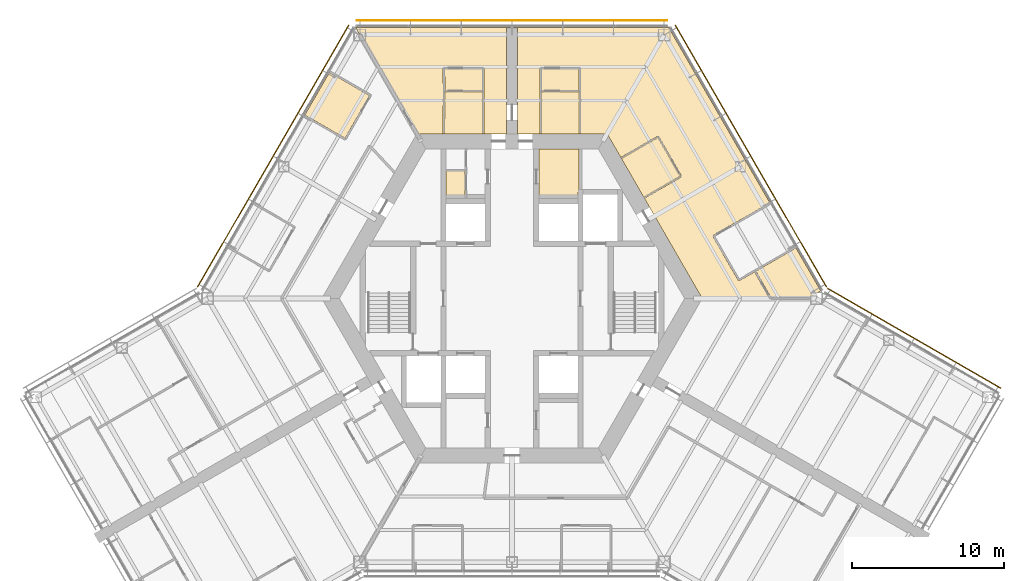
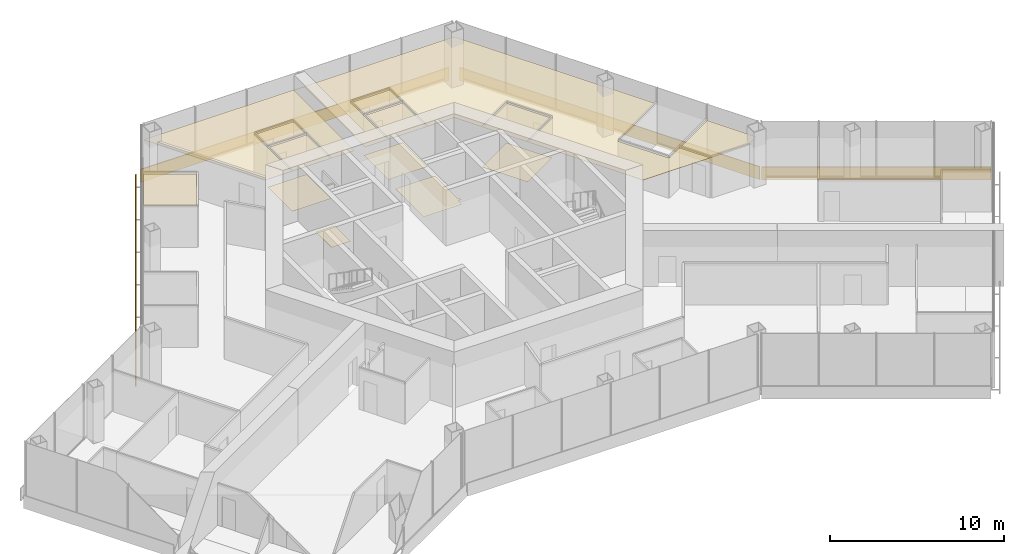
# One storey, part 18 of 18: 14 coverings, 4 shading devices.
"""IFC4 building model written with IfcOpenShell, lengths in metres."""

from ifc_helpers import new_model, si_unit, direction, frame, origin, origin_2d, place, context, subcontext, project, spatial, polyline, rectangle, outline, extrude, material, layer, layer_set, type_object, element, save


model = new_model("IFC4")

# Units and contexts
model_context = context("Model", 3, precision=1e-05, world=origin(), true_north=direction((0.0, 1.0)))
body_context = subcontext(model_context, "Body", "Model", "MODEL_VIEW")
ifc_project = project(units=[si_unit("LENGTHUNIT", "METRE"), si_unit("AREAUNIT", "SQUARE_METRE"), si_unit("VOLUMEUNIT", "CUBIC_METRE"), si_unit("PLANEANGLEUNIT", "RADIAN"), si_unit("MASSUNIT", "GRAM", prefix="KILO")], contexts=[model_context])

# Site, building, storey
site_placement = place(None, origin())
site = spatial("IfcSite", under=ifc_project, at=site_placement, CompositionType="ELEMENT")
building_placement = place(site_placement, origin())
building = spatial("IfcBuilding", under=site, at=building_placement, Name="Kasaneha Research Tower", CompositionType="ELEMENT")
storey_placement = place(building_placement, frame((0.0, 0.0, 183.800048828125)))
storey = spatial("IfcBuildingStorey", under=building, at=storey_placement, Name="L46", CompositionType="ELEMENT", Elevation=183.800048828125)

# Coverings
ifc_material_1 = material(Name="Gypsum ceiling board", Category="gypsum")
ifc_layer_1 = layer(ifc_material_1, 0.02001953125)
ifc_layer_set_1 = layer_set([ifc_layer_1], Name="Suspended ceiling 20")
covering_type_1 = type_object("IfcCoveringType", Name="Suspended ceiling 20", PredefinedType="CEILING", material=ifc_layer_set_1)
covering_1_placement = place(storey_placement, frame((0.0, 0.0, 2.800048828125)))
element("IfcCovering", 1, at=covering_1_placement, inside=storey, type_object=covering_type_1, Name="Ceiling L46-24", PredefinedType="CEILING", context=body_context, shape_type="SweptSolid", body=[
    extrude(outline(polyline([(1.89990234375, 10.824951171875), (1.89990234375, 10.844970703125), (1.949951171875, 10.844970703125), (1.95458984375, 13.570068359375), (4.410400390625, 13.570068359375), (4.4150390625, 10.844970703125), (4.465087890625, 10.844970703125), (4.465087890625, 10.824951171875), (1.89990234375, 10.824951171875)])), origin(), (0.0, 0.0, 1.0), 0.02001953125),
])
covering_2_placement = place(storey_placement, frame((0.0, 0.0, 2.800048828125)))
element("IfcCovering", 2, at=covering_2_placement, inside=storey, type_object=covering_type_1, Name="Ceiling L46-25", PredefinedType="CEILING", context=body_context, shape_type="SweptSolid", body=[
    extrude(outline(polyline([(4.410400390625, 13.669921875), (1.954345703125, 13.669921875), (1.9501953125, 15.074951171875), (4.414794921875, 15.074951171875), (4.410400390625, 13.669921875)])), origin(), (0.0, 0.0, 1.0), 0.02001953125),
])
covering_3_placement = place(storey_placement, frame((0.0, 0.0, 2.800048828125)))
element("IfcCovering", 3, at=covering_3_placement, inside=storey, type_object=covering_type_1, Name="Ceiling L46-26", PredefinedType="CEILING", context=body_context, shape_type="SweptSolid", body=[
    extrude(outline(polyline([(7.1748046875, 9.222900390625), (7.19189453125, 9.23291015625), (7.217041015625, 9.189697265625), (9.581298828125, 10.5546875), (11.03125, 8.043212890625), (8.6669921875, 6.67822265625), (8.69189453125, 6.635009765625), (8.6748046875, 6.625), (7.1748046875, 9.222900390625)])), origin(), (0.0, 0.0, 1.0), 0.02001953125),
])
covering_4_placement = place(storey_placement, frame((0.0, 0.0, 2.800048828125)))
element("IfcCovering", 4, at=covering_4_placement, inside=storey, type_object=covering_type_1, Name="Ceiling L46-28", PredefinedType="CEILING", context=body_context, shape_type="SweptSolid", body=[
    extrude(outline(polyline([(16.997802734375, 0.0), (16.986328125, 0.02001953125), (17.029541015625, 0.044921875), (16.024658203125, 1.79443359375), (18.644775390625, 3.30712890625), (18.619873046875, 3.3505859375), (18.63720703125, 3.360595703125), (20.28759765625, 0.501708984375), (19.41845703125, 0.0), (16.997802734375, 0.0)])), origin(), (0.0, 0.0, 1.0), 0.02001953125),
])
covering_5_placement = place(storey_placement, frame((0.0, 0.0, 2.800048828125)))
element("IfcCovering", 5, at=covering_5_placement, inside=storey, type_object=covering_type_1, Name="Ceiling L46-29", PredefinedType="CEILING", context=body_context, shape_type="SweptSolid", body=[
    extrude(outline(polyline([(8.692138671875, 6.634521484375), (8.717041015625, 6.591552734375), (11.12451171875, 7.981689453125), (11.099853515625, 8.024658203125), (11.10009765625, 8.02490234375), (11.099853515625, 8.025146484375), (11.142822265625, 8.0498046875), (9.642822265625, 10.64794921875), (9.60009765625, 10.623291015625), (9.599853515625, 10.623291015625), (9.599609375, 10.623046875), (9.57470703125, 10.666259765625), (7.1669921875, 9.2763671875), (7.191650390625, 9.2333984375), (7.174560546875, 9.223388671875), (6.249755859375, 10.824951171875), (4.465576171875, 10.824951171875), (4.465576171875, 10.844970703125), (4.514892578125, 10.844970703125), (4.51025390625, 13.625), (4.514892578125, 15.124755859375), (4.465087890625, 15.125), (4.465087890625, 15.12548828125), (4.465087890625, 15.175048828125), (1.89990234375, 15.175048828125), (1.89990234375, 15.125244140625), (1.899658203125, 15.125244140625), (1.899658203125, 15.125), (1.85009765625, 15.124755859375), (1.8544921875, 13.625), (1.85009765625, 10.844970703125), (1.8994140625, 10.844970703125), (1.8994140625, 10.824951171875), (0.35009765625, 10.824951171875), (0.35009765625, 11.72509765625), (0.35009765625, 12.72509765625), (0.35009765625, 17.7705078125), (0.35009765625, 17.7705078125), (0.0, 17.7705078125), (0.0, 17.820556640625), (10.28857421875, 17.820556640625), (16.94677734375, 6.28857421875), (13.222900390625, 4.138427734375), (13.24755859375, 4.095458984375), (13.247314453125, 4.09521484375), (13.247314453125, 4.094970703125), (13.20458984375, 4.0703125), (14.869873046875, 1.185546875), (14.912841796875, 1.210205078125), (14.912841796875, 1.210205078125), (14.913330078125, 1.21044921875), (14.938232421875, 1.167236328125), (15.93798828125, 1.744384765625), (16.93994140625, 0.0), (12.49951171875, 0.0), (8.675048828125, 6.62451171875), (8.692138671875, 6.634521484375)])), origin(), (0.0, 0.0, 1.0), 0.02001953125),
])
covering_6_placement = place(storey_placement, frame((0.0, 0.0, 2.800048828125)))
element("IfcCovering", 6, at=covering_6_placement, inside=storey, type_object=covering_type_1, Name="Ceiling L46-30", PredefinedType="CEILING", context=body_context, shape_type="SweptSolid", body=[
    extrude(outline(polyline([(-4.470947265625, 10.824951171875), (-4.470947265625, 10.844970703125), (-4.4208984375, 10.844970703125), (-4.41650390625, 13.570068359375), (-1.95458984375, 13.570068359375), (-1.949951171875, 10.844970703125), (-1.89990234375, 10.844970703125), (-1.89990234375, 10.824951171875), (-4.470947265625, 10.824951171875)])), origin(), (0.0, 0.0, 1.0), 0.02001953125),
])
covering_7_placement = place(storey_placement, frame((0.0, 0.0, 2.800048828125)))
element("IfcCovering", 7, at=covering_7_placement, inside=storey, type_object=covering_type_1, Name="Ceiling L46-31", PredefinedType="CEILING", context=body_context, shape_type="SweptSolid", body=[
    extrude(outline(polyline([(-1.9501953125, 15.074951171875), (-1.95458984375, 13.669921875), (-4.41650390625, 13.669921875), (-4.4208984375, 15.074951171875), (-1.9501953125, 15.074951171875)])), origin(), (0.0, 0.0, 1.0), 0.02001953125),
])
covering_8_placement = place(storey_placement, frame((0.0, 0.0, 2.800048828125)))
element("IfcCovering", 8, at=covering_8_placement, inside=storey, type_object=covering_type_1, Name="Ceiling L46-32", PredefinedType="CEILING", context=body_context, shape_type="SweptSolid", body=[
    extrude(outline(polyline([(-0.35009765625, 11.72509765625), (-0.35009765625, 10.824951171875), (-1.8994140625, 10.824951171875), (-1.8994140625, 10.844970703125), (-1.85009765625, 10.844970703125), (-1.854736328125, 13.625), (-1.85009765625, 15.124755859375), (-1.89990234375, 15.125), (-1.89990234375, 15.12548828125), (-1.89990234375, 15.175048828125), (-4.470947265625, 15.175048828125), (-4.470947265625, 15.125244140625), (-4.471435546875, 15.125244140625), (-4.471435546875, 15.125), (-4.52099609375, 15.124755859375), (-4.516357421875, 13.625), (-4.52099609375, 10.844970703125), (-4.471435546875, 10.844970703125), (-4.471435546875, 10.824951171875), (-6.249755859375, 10.824951171875), (-10.28857421875, 17.820556640625), (0.0, 17.820556640625), (0.0, 17.7705078125), (-0.35009765625, 17.7705078125), (-0.35009765625, 17.7705078125), (-0.35009765625, 12.72509765625), (-0.35009765625, 11.72509765625)])), origin(), (0.0, 0.0, 1.0), 0.02001953125),
])
covering_9_placement = place(storey_placement, frame((0.0, 0.0, 2.800048828125)))
element("IfcCovering", 9, at=covering_9_placement, inside=storey, type_object=covering_type_1, Name="Ceiling L46-36", PredefinedType="CEILING", context=body_context, shape_type="SweptSolid", body=[
    extrude(outline(polyline([(-12.000244140625, 14.85595703125), (-9.35888671875, 13.330810546875), (-10.974365234375, 10.53271484375), (-13.598388671875, 12.0478515625), (-13.623291015625, 12.004638671875), (-13.640869140625, 12.0146484375), (-12.000244140625, 14.85595703125)])), origin(), (0.0, 0.0, 1.0), 0.02001953125),
])

# Shading devices
ifc_material_2 = material(Name="Terracotta", Category="masonry")
ifc_layer_2 = layer(ifc_material_2, 0.06005859375)
ifc_layer_set_2 = layer_set([ifc_layer_2], Name="Terracotta baguette screen")
shading_device_type = type_object("IfcShadingDeviceType", Name="Terracotta baguette screen", PredefinedType="USERDEFINED", material=ifc_layer_set_2)
shading_device_1_placement = place(storey_placement, frame((26.43359375, -2.617431640625, -0.449951171875), z_axis=(0.0, 0.0, 1.0), x_axis=(-0.866025411464, 0.499999986699, 0.0)))
element("IfcShadingDevice", 10, at=shading_device_1_placement, inside=storey, type_object=shading_device_type, Name="Baguette screen L46 05", ObjectType="TERRACOTTA BAGUETTE SCREEN", PredefinedType="USERDEFINED", context=body_context, shape_type="SweptSolid", body=[
    extrude(rectangle(XDim=13.13916015625, YDim=0.06005859375, at=origin_2d()), origin(), (0.0, 0.0, 1.0), 0.89990234375),
])
shading_device_2_placement = place(storey_placement, frame((15.696044921875, 9.35498046875, -0.449951171875), z_axis=(0.0, 0.0, 1.0), x_axis=(-0.499999979232, 0.866025415775, 0.0)))
element("IfcShadingDevice", 11, at=shading_device_2_placement, inside=storey, type_object=shading_device_type, Name="Baguette screen L46 06", ObjectType="TERRACOTTA BAGUETTE SCREEN", PredefinedType="USERDEFINED", context=body_context, shape_type="SweptSolid", body=[
    extrude(rectangle(XDim=19.8857421875, YDim=0.06005859375, at=origin_2d()), origin(), (0.0, 0.0, 1.0), 0.89990234375),
])
shading_device_3_placement = place(storey_placement, frame((0.0, 18.2705078125, -0.449951171875), z_axis=(0.0, 0.0, 1.0), x_axis=(-1.0, 0.0, 0.0)))
element("IfcShadingDevice", 12, at=shading_device_3_placement, inside=storey, type_object=shading_device_type, Name="Baguette screen L46 07", ObjectType="TERRACOTTA BAGUETTE SCREEN", PredefinedType="USERDEFINED", context=body_context, shape_type="SweptSolid", body=[
    extrude(rectangle(XDim=20.392822265625, YDim=0.06005859375, at=origin_2d()), origin(), (0.0, 0.0, 1.0), 0.89990234375),
])
shading_device_4_placement = place(storey_placement, frame((-15.696044921875, 9.35498046875, -0.449951171875), z_axis=(0.0, 0.0, 1.0), x_axis=(-0.499999979232, -0.866025415775, 0.0)))
element("IfcShadingDevice", 13, at=shading_device_4_placement, inside=storey, type_object=shading_device_type, Name="Baguette screen L46 08", ObjectType="TERRACOTTA BAGUETTE SCREEN", PredefinedType="USERDEFINED", context=body_context, shape_type="SweptSolid", body=[
    extrude(rectangle(XDim=19.8857421875, YDim=0.06005859375, at=origin_2d()), origin(), (0.0, 0.0, 1.0), 0.89990234375),
])

# Coverings
ifc_material_3 = material(Name="Vinyl sheet flooring", Category="plastic")
ifc_layer_3 = layer(ifc_material_3, 0.0048828125)
ifc_layer_set_3 = layer_set([ifc_layer_3], Name="Wet room sheet flooring 5")
covering_type_2 = type_object("IfcCoveringType", Name="Wet room sheet flooring 5", PredefinedType="FLOORING", material=ifc_layer_set_3)
covering_10_placement = place(storey_placement, origin())
element("IfcCovering", 14, at=covering_10_placement, inside=storey, type_object=covering_type_2, Name="Floor finish L46-07", PredefinedType="FLOORING", context=body_context, shape_type="SweptSolid", body=[
    extrude(outline(polyline([(-4.324951171875, 6.574951171875), (-4.324951171875, 8.375), (-3.074951171875, 8.375), (-3.074951171875, 6.574951171875), (-4.324951171875, 6.574951171875)])), origin(), (0.0, 0.0, 1.0), 0.0048828125),
])
covering_11_placement = place(storey_placement, origin())
element("IfcCovering", 15, at=covering_11_placement, inside=storey, type_object=covering_type_2, Name="Floor finish L46-09", PredefinedType="FLOORING", context=body_context, shape_type="SweptSolid", body=[
    extrude(outline(polyline([(4.39892578125, 9.824951171875), (4.39892578125, 7.175048828125), (4.39892578125, 7.1748046875), (4.39892578125, 7.1748046875), (4.39892578125, 7.1748046875), (4.399169921875, 7.174560546875), (4.399169921875, 7.174560546875), (4.399169921875, 7.174560546875), (4.399169921875, 7.17431640625), (4.399169921875, 7.17431640625), (4.3994140625, 7.17431640625), (4.3994140625, 7.174072265625), (4.3994140625, 7.174072265625), (4.399658203125, 7.174072265625), (4.399658203125, 7.174072265625), (4.39990234375, 7.174072265625), (4.39990234375, 7.174072265625), (4.39990234375, 7.174072265625), (4.5, 7.174072265625), (4.5, 7.0), (4.324951171875, 7.0), (4.324951171875, 6.574951171875), (1.77490234375, 6.574951171875), (1.77490234375, 9.824951171875), (4.39892578125, 9.824951171875)])), origin(), (0.0, 0.0, 1.0), 0.0048828125),
])
covering_12_placement = place(storey_placement, origin())
element("IfcCovering", 16, at=covering_12_placement, inside=storey, type_object=covering_type_2, Name="Floor finish L46-24", PredefinedType="FLOORING", context=body_context, shape_type="SweptSolid", body=[
    extrude(outline(polyline([(4.465087890625, 13.625), (4.465087890625, 10.824951171875), (1.89990234375, 10.824951171875), (1.89990234375, 13.625), (4.465087890625, 13.625)])), origin(), (0.0, 0.0, 1.0), 0.0048828125),
])
covering_13_placement = place(storey_placement, origin())
element("IfcCovering", 17, at=covering_13_placement, inside=storey, type_object=covering_type_2, Name="Floor finish L46-26", PredefinedType="FLOORING", context=body_context, shape_type="SweptSolid", body=[
    extrude(outline(polyline([(11.099609375, 8.02490234375), (8.6748046875, 6.625), (7.1748046875, 9.222900390625), (9.599609375, 10.623046875), (11.099609375, 8.02490234375)])), origin(), (0.0, 0.0, 1.0), 0.0048828125),
])
covering_14_placement = place(storey_placement, origin())
element("IfcCovering", 18, at=covering_14_placement, inside=storey, type_object=covering_type_2, Name="Floor finish L46-30", PredefinedType="FLOORING", context=body_context, shape_type="SweptSolid", body=[
    extrude(outline(polyline([(-1.89990234375, 13.625), (-1.89990234375, 10.824951171875), (-4.470947265625, 10.824951171875), (-4.470947265625, 13.625), (-1.89990234375, 13.625)])), origin(), (0.0, 0.0, 1.0), 0.0048828125),
])

save(model, "model.ifc")
